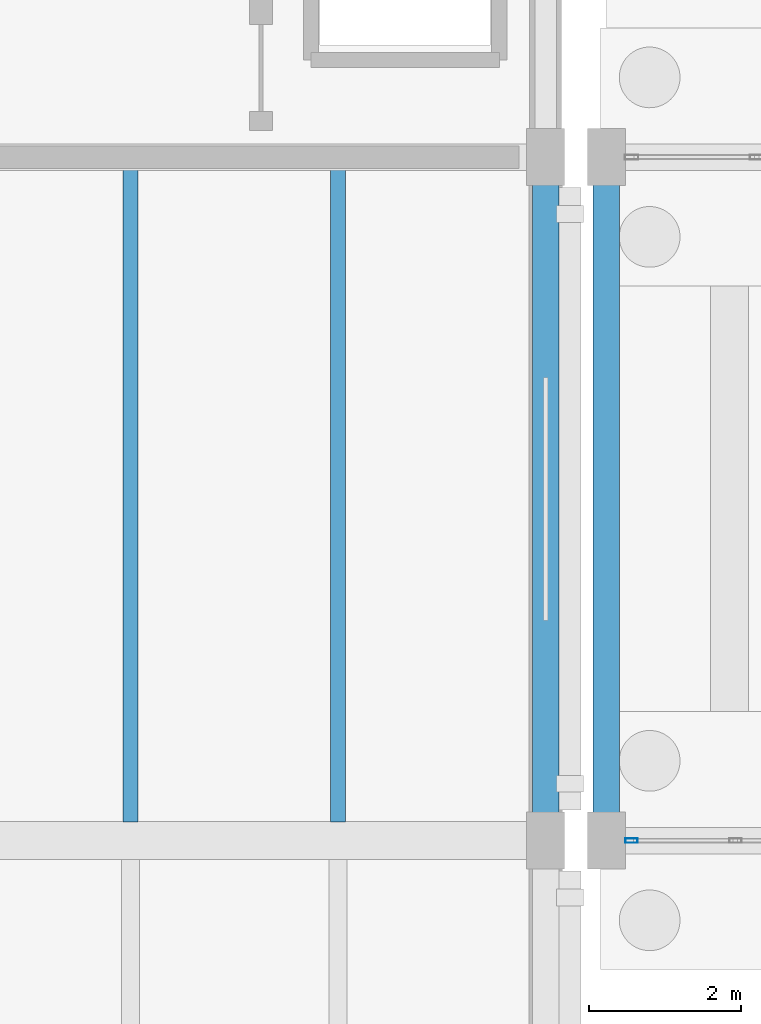
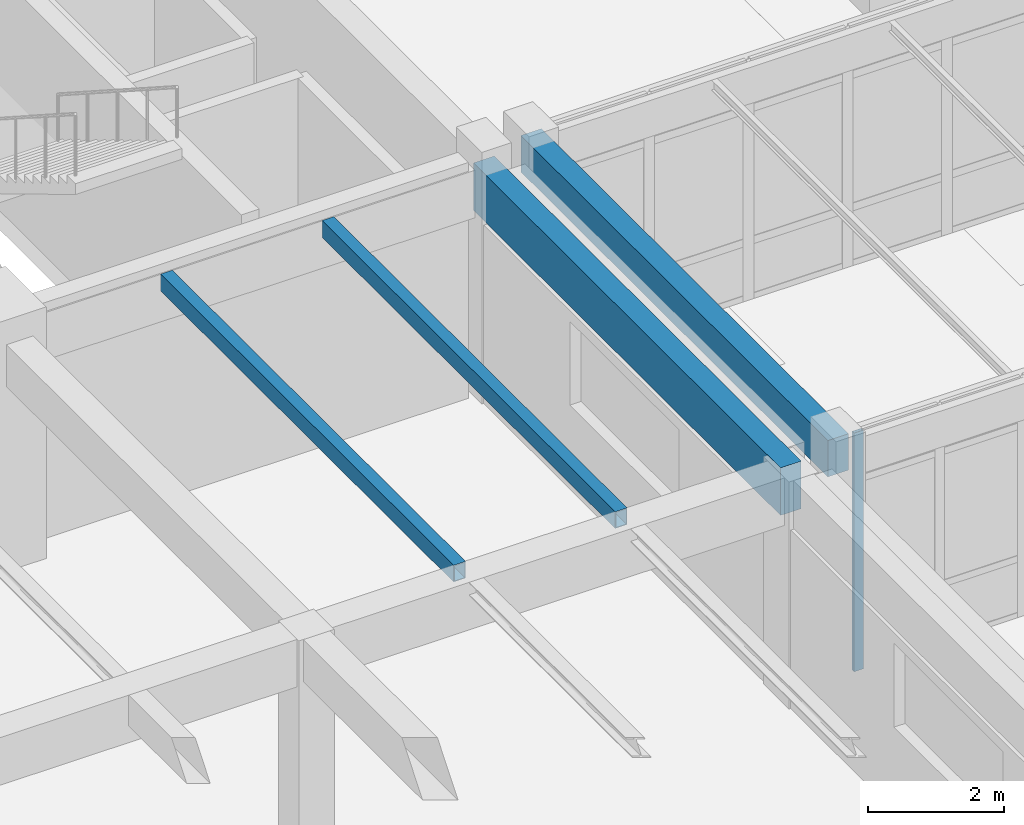
# One storey, part 45 of 186: 4 beams, 1 member, 1 element without a shape of its own.
"""IFC4 building model written with IfcOpenShell, lengths in metres."""

from ifc_helpers import new_model, si_unit, direction, frame, origin, origin_2d, place, context, subcontext, project, spatial, rectangle, hollow_rectangle, extrude, material, layer, layer_set, material_profile, profile_set, type_object, element, aggregate, save


model = new_model("IFC4")

# Units and contexts
model_context = context("Model", 3, precision=1e-05, world=origin(), true_north=direction((0.0, 1.0)))
body_context = subcontext(model_context, "Body", "Model", "MODEL_VIEW")
ifc_project = project(units=[si_unit("LENGTHUNIT", "METRE"), si_unit("AREAUNIT", "SQUARE_METRE"), si_unit("VOLUMEUNIT", "CUBIC_METRE"), si_unit("PLANEANGLEUNIT", "RADIAN"), si_unit("MASSUNIT", "GRAM", prefix="KILO")], contexts=[model_context])

# Site, building, storey
site_placement = place(None, origin())
site = spatial("IfcSite", under=ifc_project, at=site_placement, CompositionType="ELEMENT")
building_placement = place(site_placement, origin())
building = spatial("IfcBuilding", under=site, at=building_placement, Name="Ornek Quay Market", CompositionType="ELEMENT")
storey_placement = place(building_placement, origin())
storey = spatial("IfcBuildingStorey", under=building, at=storey_placement, Name="L00", CompositionType="ELEMENT", Elevation=0.0)

# Beams
ifc_material_1 = material(Name="Concrete C35/45", Category="concrete")
ifc_material_profile_1 = material_profile(ifc_material_1, rectangle(XDim=0.35009765625, YDim=0.64990234375, at=origin_2d()), Name="RC 350x650", Category="concrete")
ifc_profile_set_1 = profile_set([ifc_material_profile_1], Name="Concrete C35/45")
beam_type_1 = type_object("IfcBeamType", Name="BM-CONC-350x650", PredefinedType="BEAM", material=ifc_profile_set_1)
beam_1_placement = place(storey_placement, frame((126.0, 20.0, 3.945068359375), z_axis=(0.0, 1.0, 0.0), x_axis=(-1.0, 0.0, 0.0)))
element("IfcBeam", 1, at=beam_1_placement, inside=storey, type_object=beam_type_1, Name="Primary beam B-CN1-093", PredefinedType="BEAM", context=body_context, shape_type="SweptSolid", body=[
    extrude(rectangle(XDim=0.35009765625, YDim=0.64990234375, at=origin_2d()), origin(), (0.0, 0.0, 1.0), 9.0),
])
ifc_material_2 = material(Name="Steel S355", Category="steel")
ifc_material_profile_2 = material_profile(ifc_material_2, hollow_rectangle(XDim=0.199951171875, YDim=0.300048828125, WallThickness=0.011962890625, at=origin_2d()), Name="RHS 300x200x12", Category="steel")
ifc_profile_set_2 = profile_set([ifc_material_profile_2], Name="Steel S355")
beam_type_2 = type_object("IfcBeamType", Name="BM-RHS-RHS300x200x12", PredefinedType="BEAM", material=ifc_profile_set_2)
for number, where, z_axis, x_axis, name in (
    (2, (119.7333984375, 20.241943359375, 3.909912109375), (0.0, 1.0, 0.0), (-1.0, 0.0, 0.0), "Secondary joist SR-06-009"),
    (3, (122.466796875, 20.241943359375, 3.909912109375), (0.0, 1.0, 0.0), (-1.0, 0.0, 0.0), "Secondary joist SR-06-010"),
):
    element("IfcBeam", number, at=place(storey_placement, frame(where, z_axis=z_axis, x_axis=x_axis)), inside=storey, type_object=beam_type_2, Name=name, PredefinedType="BEAM", context=body_context, shape_type="SweptSolid", body=[
        extrude(hollow_rectangle(XDim=0.199951171875, YDim=0.300048828125, WallThickness=0.011962890625, at=origin_2d()), origin(), (0.0, 0.0, 1.0), 8.591064453125),
    ])
ifc_material_3 = material(Name="Concrete C40/50", Category="concrete")
ifc_material_profile_3 = material_profile(ifc_material_3, rectangle(XDim=0.35009765625, YDim=0.85009765625, at=origin_2d()), Name="RC 350x850", Category="concrete")
ifc_profile_set_3 = profile_set([ifc_material_profile_3], Name="Concrete C40/50")
beam_type_3 = type_object("IfcBeamType", Name="BM-SPN-350x850", PredefinedType="SPANDREL", material=ifc_profile_set_3)
beam_2_placement = place(storey_placement, frame((125.199951171875, 20.0, 3.635009765625), z_axis=(0.0, 1.0, 0.0), x_axis=(-1.0, 0.0, 0.0)))
element("IfcBeam", 4, at=beam_2_placement, inside=storey, type_object=beam_type_3, Name="Primary beam B-SP1-089", PredefinedType="SPANDREL", context=body_context, shape_type="SweptSolid", body=[
    extrude(rectangle(XDim=0.35009765625, YDim=0.85009765625, at=origin_2d()), origin(), (0.0, 0.0, 1.0), 9.0),
])

# Curtain wall, member
ifc_material_4 = material(Name="Anodised bronze aluminium and triple low-e glass", Category="aluminium")
ifc_layer = layer(ifc_material_4, 0.179931640625, Name="Anodised bronze aluminium and triple low-e glass", Category="aluminium")
ifc_layer_set = layer_set([ifc_layer], Name="Anodised bronze aluminium and triple low-e glass")
curtain_wall_type = type_object("IfcCurtainWallType", Name="CW-CONC-MOD1500", PredefinedType="USERDEFINED", material=ifc_layer_set)
curtain_wall_placement = place(storey_placement, origin())
curtain_wall = element("IfcCurtainWall", 5, at=curtain_wall_placement, inside=storey, type_object=curtain_wall_type, Name="Curtain wall CW-028", ObjectType="CURTAIN WALL", PredefinedType="USERDEFINED")
ifc_material_5 = material(Name="Anodised aluminium 6063-T6", Category="aluminium")
ifc_material_profile_4 = material_profile(ifc_material_5, hollow_rectangle(XDim=0.06005859375, YDim=0.159912109375, WallThickness=0.00390625, at=origin_2d()), Name="CW-MUL-60x160", Category="aluminium")
ifc_profile_set_4 = profile_set([ifc_material_profile_4], Name="Anodised aluminium 6063-T6")
member_type = type_object("IfcMemberType", Name="CW-MUL-60x160", PredefinedType="MULLION", material=ifc_profile_set_4)
member_placement = place(storey_placement, frame((126.330078125, 20.0, 0.0), z_axis=(0.0, 0.0, 1.0), x_axis=(0.0, 1.0, 0.0)))
member = element("IfcMember", 6, at=member_placement, type_object=member_type, Name="CW-028 mullion 1", PredefinedType="MULLION", context=body_context, shape_type="SweptSolid", body=[
    extrude(hollow_rectangle(XDim=0.06005859375, YDim=0.159912109375, WallThickness=0.00390625, at=origin_2d()), origin(), (0.0, 0.0, 1.0), 4.27001953125),
])
aggregate(curtain_wall, [member])

save(model, "model.ifc")
